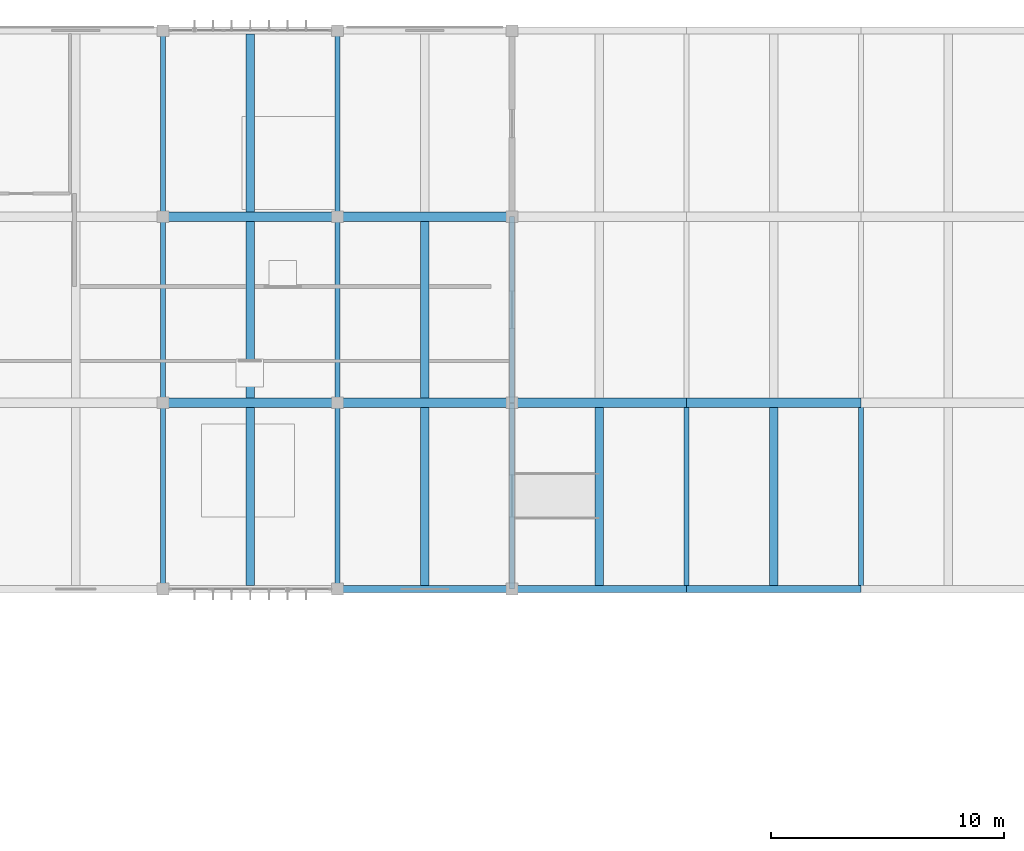
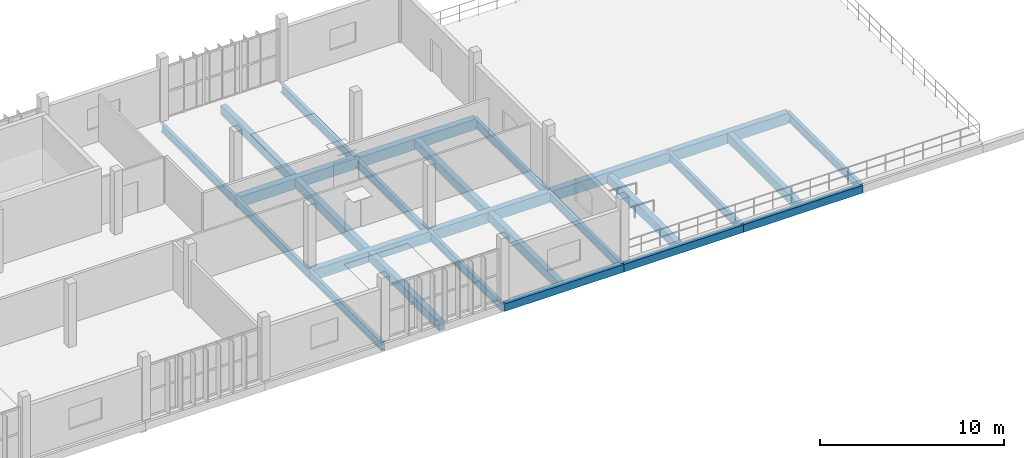
# One storey, part 12 of 27: 26 beams.
"""IFC4 building model written with IfcOpenShell, lengths in metres."""

from ifc_helpers import new_model, si_unit, direction, frame, origin, origin_2d, place, context, subcontext, project, spatial, rectangle, i_section, extrude, material, material_profile, profile_set, type_object, element, save


model = new_model("IFC4")

# Units and contexts
model_context = context("Model", 3, precision=1e-05, world=origin(), true_north=direction((0.0, 1.0)))
body_context = subcontext(model_context, "Body", "Model", "MODEL_VIEW")
ifc_project = project(units=[si_unit("LENGTHUNIT", "METRE"), si_unit("AREAUNIT", "SQUARE_METRE"), si_unit("VOLUMEUNIT", "CUBIC_METRE"), si_unit("PLANEANGLEUNIT", "RADIAN"), si_unit("MASSUNIT", "GRAM", prefix="KILO")], contexts=[model_context])

# Site, building, storey
site_placement = place(None, origin())
site = spatial("IfcSite", under=ifc_project, at=site_placement, CompositionType="ELEMENT")
building_placement = place(site_placement, origin())
building = spatial("IfcBuilding", under=site, at=building_placement, Name="Vourika Railside Aquatics Centre", CompositionType="ELEMENT")
storey_placement = place(building_placement, frame((0.0, 0.0, 13.5)))
storey = spatial("IfcBuildingStorey", under=building, at=storey_placement, Name="L03", CompositionType="ELEMENT", Elevation=13.5)

# Beams
ifc_material_1 = material(Name="Concrete C35/45", Category="concrete")
ifc_material_profile_1 = material_profile(ifc_material_1, rectangle(XDim=0.39990234375, YDim=0.699951171875, at=origin_2d()), Name="RC 400x700")
ifc_profile_set_1 = profile_set([ifc_material_profile_1], Name="Concrete C35/45")
beam_type_1 = type_object("IfcBeamType", Name="BM-GIRD-400x700", PredefinedType="BEAM", material=ifc_profile_set_1)
for number, where, z_axis, x_axis, name in (
    (1, (96.0, 100.0, -0.610107421875), (1.0, 0.0, 0.0), (0.0, 1.0, 0.0), "Floor Beam GX-L03-065"),
    (2, (103.5, 100.0, -0.6201171875), (1.0, 0.0, 0.0), (0.0, 1.0, 0.0), "Floor Beam GX-L03-066"),
    (3, (111.0, 100.0, -0.6201171875), (1.0, 0.0, 0.0), (0.0, 1.0, 0.0), "Floor Beam GX-L03-067"),
    (4, (118.5, 100.0, -0.6201171875), (1.0, 0.0, 0.0), (0.0, 1.0, 0.0), "Floor Beam GX-L03-068"),
    (5, (96.0, 108.0, -0.610107421875), (1.0, 0.0, 0.0), (0.0, 1.0, 0.0), "Floor Beam GX-L03-080"),
    (6, (103.5, 108.0, -0.6201171875), (1.0, 0.0, 0.0), (0.0, 1.0, 0.0), "Floor Beam GX-L03-081"),
):
    element("IfcBeam", number, at=place(storey_placement, frame(where, z_axis=z_axis, x_axis=x_axis)), inside=storey, type_object=beam_type_1, Name=name, PredefinedType="BEAM", context=body_context, shape_type="SweptSolid", body=[
        extrude(rectangle(XDim=0.39990234375, YDim=0.699951171875, at=origin_2d()), origin(), (0.0, 0.0, 1.0), 7.5),
    ])
ifc_material_profile_2 = material_profile(ifc_material_1, rectangle(XDim=0.35009765625, YDim=0.60009765625, at=origin_2d()), Name="RC 350x600")
ifc_profile_set_2 = profile_set([ifc_material_profile_2], Name="Concrete C35/45")
beam_type_2 = type_object("IfcBeamType", Name="BM-SEC-350x600", PredefinedType="JOIST", material=ifc_profile_set_2)
for number, where, z_axis, x_axis, name in (
    (7, (99.75, 92.14990234375, -0.56005859375), (0.0, 1.0, 0.0), (-1.0, 0.0, 0.0), "Secondary Joist JY-L03-224"),
    (8, (107.25, 92.14990234375, -0.56005859375), (0.0, 1.0, 0.0), (-1.0, 0.0, 0.0), "Secondary Joist JY-L03-225"),
    (9, (114.75, 92.14990234375, -0.699951171875), (0.0, 1.0, 0.0), (-1.0, 0.0, 0.0), "Secondary Joist JY-L03-226"),
    (10, (122.25, 92.14990234375, -0.570068359375), (0.0, 1.0, 0.0), (-1.0, 0.0, 0.0), "Secondary Joist JY-L03-227"),
):
    element("IfcBeam", number, at=place(storey_placement, frame(where, z_axis=z_axis, x_axis=x_axis)), inside=storey, type_object=beam_type_2, Name=name, PredefinedType="JOIST", context=body_context, shape_type="SweptSolid", body=[
        extrude(rectangle(XDim=0.35009765625, YDim=0.60009765625, at=origin_2d()), origin(), (0.0, 0.0, 1.0), 7.650146484375),
    ])
for number, where, z_axis, x_axis, name in (
    (11, (99.75, 100.199951171875, -0.56005859375), (0.0, 1.0, 0.0), (-1.0, 0.0, 0.0), "Secondary Joist JY-L03-239"),
    (12, (107.25, 100.199951171875, -0.56005859375), (0.0, 1.0, 0.0), (-1.0, 0.0, 0.0), "Secondary Joist JY-L03-240"),
):
    element("IfcBeam", number, at=place(storey_placement, frame(where, z_axis=z_axis, x_axis=x_axis)), inside=storey, type_object=beam_type_2, Name=name, PredefinedType="JOIST", context=body_context, shape_type="SweptSolid", body=[
        extrude(rectangle(XDim=0.35009765625, YDim=0.60009765625, at=origin_2d()), origin(), (0.0, 0.0, 1.0), 7.60009765625),
    ])
beam_placement = place(storey_placement, frame((99.75, 108.199951171875, -0.56005859375), z_axis=(0.0, 1.0, 0.0), x_axis=(-1.0, 0.0, 0.0)))
element("IfcBeam", 13, at=beam_placement, inside=storey, type_object=beam_type_2, Name="Secondary Joist JY-L03-248", PredefinedType="JOIST", context=body_context, shape_type="SweptSolid", body=[
    extrude(rectangle(XDim=0.35009765625, YDim=0.60009765625, at=origin_2d()), origin(), (0.0, 0.0, 1.0), 7.650146484375),
])
ifc_material_profile_3 = material_profile(ifc_material_1, rectangle(XDim=0.300048828125, YDim=0.5, at=origin_2d()), Name="RC 300x500")
ifc_profile_set_3 = profile_set([ifc_material_profile_3], Name="Concrete C35/45")
beam_type_3 = type_object("IfcBeamType", Name="BM-SPAN-300x500", PredefinedType="SPANDREL", material=ifc_profile_set_3)
for number, where, z_axis, x_axis, name in (
    (14, (103.5, 92.0, -0.52001953125), (1.0, 0.0, 0.0), (0.0, 1.0, 0.0), "Floor Beam GX-L03-047"),
    (15, (111.0, 92.0, -0.52001953125), (1.0, 0.0, 0.0), (0.0, 1.0, 0.0), "Floor Beam GX-L03-048"),
    (16, (118.5, 92.0, -0.52001953125), (1.0, 0.0, 0.0), (0.0, 1.0, 0.0), "Floor Beam GX-L03-049"),
):
    element("IfcBeam", number, at=place(storey_placement, frame(where, z_axis=z_axis, x_axis=x_axis)), inside=storey, type_object=beam_type_3, Name=name, PredefinedType="SPANDREL", context=body_context, shape_type="SweptSolid", body=[
        extrude(rectangle(XDim=0.300048828125, YDim=0.5, at=origin_2d()), origin(), (0.0, 0.0, 1.0), 7.5),
    ])
ifc_material_2 = material(Name="Steel S355J2", Category="steel")
ifc_material_profile_4 = material_profile(ifc_material_2, i_section(OverallWidth=0.2099609375, OverallDepth=0.550048828125, WebThickness=0.010986328125, FlangeThickness=0.01708984375, at=origin_2d()), Name="IPE 550")
ifc_profile_set_4 = profile_set([ifc_material_profile_4], Name="Steel S355J2")
beam_type_4 = type_object("IfcBeamType", Name="BM-STL-IPE550", PredefinedType="BEAM", material=ifc_profile_set_4)
for number, where, z_axis, x_axis, name in (
    (17, (96.0, 92.0, -0.534912109375), (0.0, 1.0, 0.0), (-1.0, 0.0, 0.0), "Floor Girder GY-L03-146"),
    (18, (96.0, 100.0, -0.534912109375), (0.0, 1.0, 0.0), (-1.0, 0.0, 0.0), "Floor Girder GY-L03-147"),
    (19, (96.0, 108.0, -0.534912109375), (0.0, 1.0, 0.0), (-1.0, 0.0, 0.0), "Floor Girder GY-L03-148"),
    (20, (103.5, 92.0, -0.534912109375), (0.0, 1.0, 0.0), (-1.0, 0.0, 0.0), "Floor Girder GY-L03-149"),
    (21, (103.5, 100.0, -0.534912109375), (0.0, 1.0, 0.0), (-1.0, 0.0, 0.0), "Floor Girder GY-L03-150"),
    (22, (103.5, 108.0, -0.534912109375), (0.0, 1.0, 0.0), (-1.0, 0.0, 0.0), "Floor Girder GY-L03-151"),
    (23, (111.0, 92.0, -0.544921875), (0.0, 1.0, 0.0), (-1.0, 0.0, 0.0), "Floor Girder GY-L03-152"),
    (24, (111.0, 100.0, -0.544921875), (0.0, 1.0, 0.0), (-1.0, 0.0, 0.0), "Floor Girder GY-L03-153"),
    (25, (118.5, 92.0, -0.544921875), (0.0, 1.0, 0.0), (-1.0, 0.0, 0.0), "Floor Girder GY-L03-155"),
    (26, (126.0, 92.0, -0.544921875), (0.0, 1.0, 0.0), (-1.0, 0.0, 0.0), "Floor Girder GY-L03-158"),
):
    element("IfcBeam", number, at=place(storey_placement, frame(where, z_axis=z_axis, x_axis=x_axis)), inside=storey, type_object=beam_type_4, Name=name, PredefinedType="BEAM", context=body_context, shape_type="SweptSolid", body=[
        extrude(i_section(OverallWidth=0.2099609375, OverallDepth=0.550048828125, WebThickness=0.010986328125, FlangeThickness=0.01708984375, at=origin_2d()), origin(), (0.0, 0.0, 1.0), 8.0),
    ])

save(model, "model.ifc")
